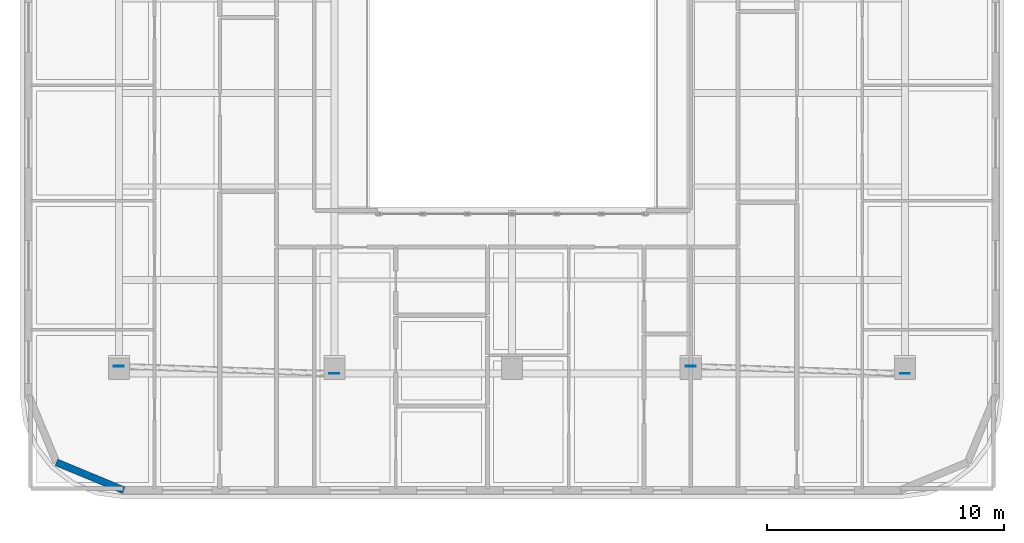
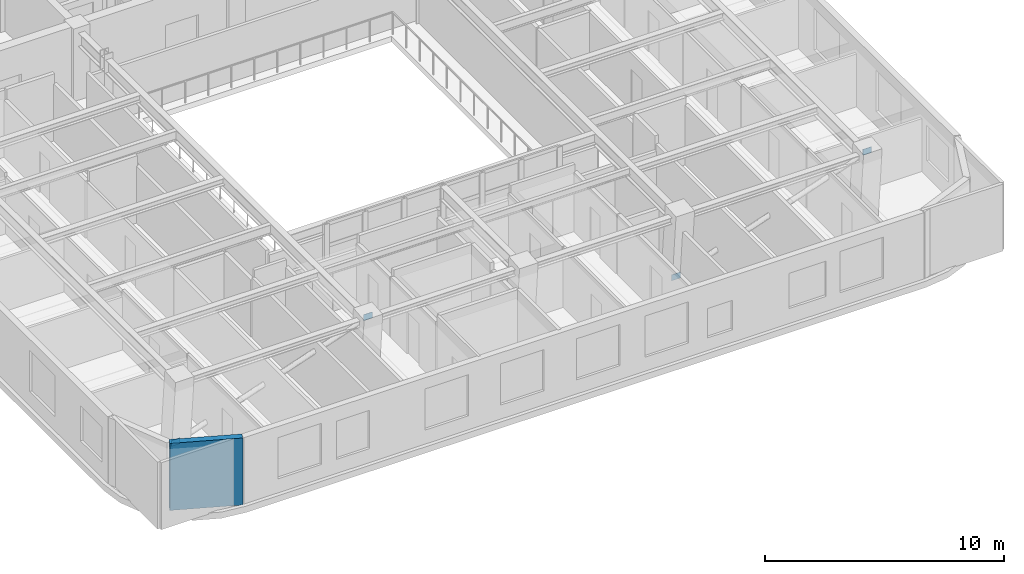
# One storey, part 5 of 13: 4 plates, 1 wall.
"""IFC4 building model written with IfcOpenShell, lengths in metres."""

from ifc_helpers import new_model, si_unit, direction, frame, frame_2d, origin, origin_2d, place, context, subcontext, project, spatial, rectangle, extrude, material, layer, layer_set, type_object, element, save


model = new_model("IFC4")

# Units and contexts
model_context = context("Model", 3, precision=1e-05, world=origin(), true_north=direction((0.0, 1.0)))
body_context = subcontext(model_context, "Body", "Model", "MODEL_VIEW")
ifc_project = project(units=[si_unit("LENGTHUNIT", "METRE"), si_unit("AREAUNIT", "SQUARE_METRE"), si_unit("VOLUMEUNIT", "CUBIC_METRE"), si_unit("PLANEANGLEUNIT", "RADIAN"), si_unit("MASSUNIT", "GRAM", prefix="KILO")], contexts=[model_context])

# Site, building, storey
site_placement = place(None, origin())
site = spatial("IfcSite", under=ifc_project, at=site_placement, CompositionType="ELEMENT")
building_placement = place(site_placement, origin())
building = spatial("IfcBuilding", under=site, at=building_placement, Name="Zarnavel Station Tower", CompositionType="ELEMENT")
storey_placement = place(building_placement, frame((0.0, 0.0, 247.300048828125)))
storey = spatial("IfcBuildingStorey", under=building, at=storey_placement, Name="L67", CompositionType="ELEMENT", Elevation=247.300048828125)

# Plates
ifc_material_1 = material(Name="Steel S460M", Category="steel")
ifc_layer_1 = layer(ifc_material_1, 0.02490234375)
ifc_layer_set_1 = layer_set([ifc_layer_1], Name="GP_GUSSET_25")
plate_type = type_object("IfcPlateType", Name="GP_GUSSET_25", PredefinedType="USERDEFINED", material=ifc_layer_set_1)
for number, where, z_axis, x_axis, name in (
    (1, (12.199951171875, 3.817626953125, -0.14990234375), (0.0, 0.0, 1.0), (1.0, 0.0, 0.0), "L67 Exterior Diagonal Brace End Gusset 1-1"),
    (2, (21.300048828125, 3.5078125, 3.27001953125), (0.0, 0.0, 1.0), (1.0, 0.0, 0.0), "L67 Exterior Diagonal Brace End Gusset 1-2"),
    (3, (36.35009765625, 3.817626953125, -0.14990234375), (0.0, 0.0, 1.0), (1.0, 0.0, 0.0), "L67 Exterior Diagonal Brace End Gusset 2-1"),
    (4, (45.39990234375, 3.5078125, 3.27001953125), (0.0, 0.0, 1.0), (1.0, 0.0, 0.0), "L67 Exterior Diagonal Brace End Gusset 2-2"),
):
    element("IfcPlate", number, at=place(storey_placement, frame(where, z_axis=z_axis, x_axis=x_axis)), inside=storey, type_object=plate_type, Name=name, ObjectType="GUSSET_PLATE", PredefinedType="USERDEFINED", context=body_context, shape_type="SweptSolid", body=[
        extrude(rectangle(XDim=0.419921875, YDim=0.02490234375, at=origin_2d()), origin(), (0.0, 0.0, 1.0), 0.300048828125),
    ])

# Wall
ifc_material_2 = material(Name="Precast concrete C45/55 (Dark Basalt Finish)", Category="masonry")
ifc_layer_2 = layer(ifc_material_2, 0.300048828125)
ifc_layer_set_2 = layer_set([ifc_layer_2], Name="EW_BASALT_300")
wall_type = type_object("IfcWallType", Name="EW_BASALT_300", PredefinedType="SOLIDWALL", material=ifc_layer_set_2)
wall_placement = place(storey_placement, frame((12.39990234375, -1.419921875, 0.0), z_axis=(0.0, 0.0, 1.0), x_axis=(-0.92389884758, 0.382636798336, 0.0)))
element("IfcWall", 5, at=wall_placement, inside=storey, type_object=wall_type, Name="L67 Exterior Basalt Masonry Frame Wall 11", PredefinedType="SOLIDWALL", context=body_context, shape_type="SweptSolid", body=[
    extrude(rectangle(XDim=3.07666015625, YDim=0.300048828125, at=frame_2d((1.538330078125, 0.0))), origin(), (0.0, 0.0, 1.0), 3.419921875),
])

save(model, "model.ifc")
